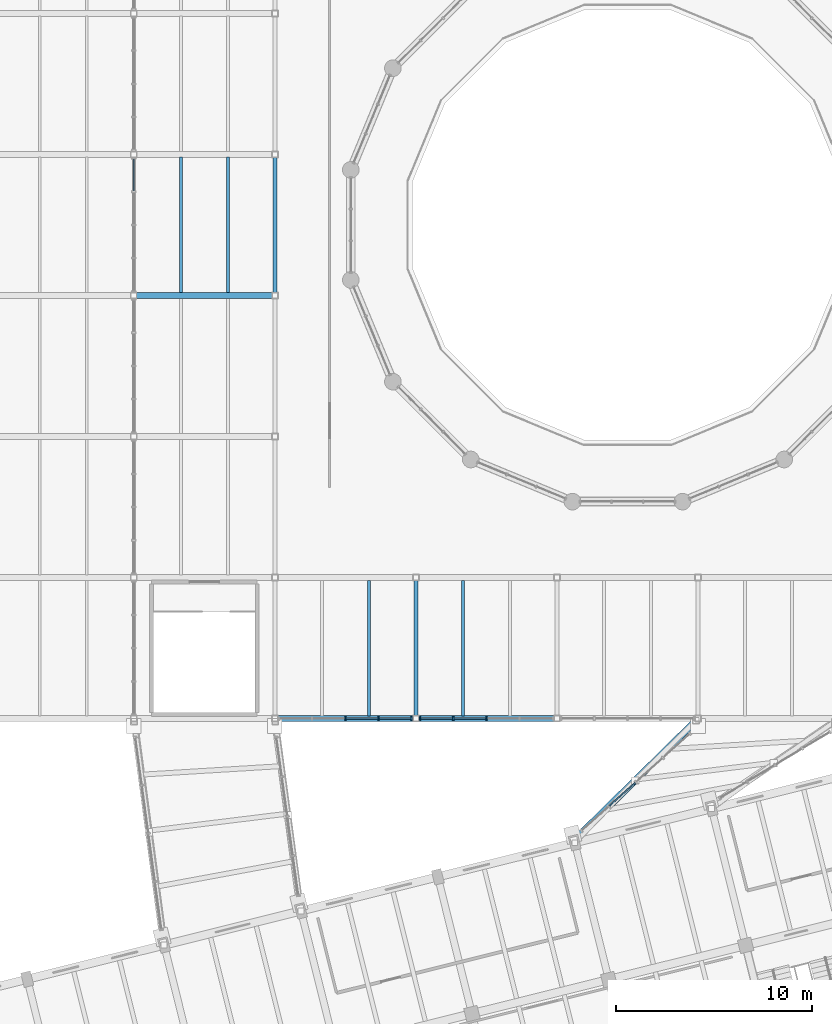
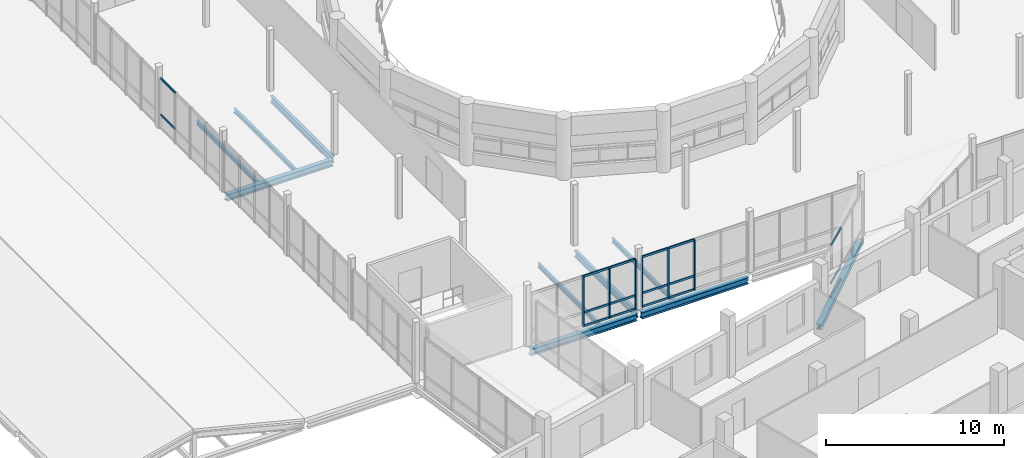
# One storey, part 18 of 63: 23 members, 10 beams, 4 elements without a shape of their own.
"""IFC4 building model written with IfcOpenShell, lengths in metres."""

from ifc_helpers import new_model, si_unit, direction, frame, origin, origin_2d, place, context, subcontext, project, spatial, rectangle, i_section, extrude, material, material_profile, profile_set, type_object, element, aggregate, save


model = new_model("IFC4")

# Units and contexts
model_context = context("Model", 3, precision=1e-05, world=origin(), true_north=direction((0.0, 1.0)))
body_context = subcontext(model_context, "Body", "Model", "MODEL_VIEW")
ifc_project = project(units=[si_unit("LENGTHUNIT", "METRE"), si_unit("AREAUNIT", "SQUARE_METRE"), si_unit("VOLUMEUNIT", "CUBIC_METRE"), si_unit("PLANEANGLEUNIT", "RADIAN"), si_unit("MASSUNIT", "GRAM", prefix="KILO")], contexts=[model_context])

# Site, building, storey
site_placement = place(None, origin())
site = spatial("IfcSite", under=ifc_project, at=site_placement, CompositionType="ELEMENT")
building_placement = place(site_placement, origin())
building = spatial("IfcBuilding", under=site, at=building_placement, Name="Qiaolan Assembly House", CompositionType="ELEMENT")
storey_placement = place(building_placement, frame((0.0, 0.0, 14.39990234375)))
storey = spatial("IfcBuildingStorey", under=building, at=storey_placement, Name="L03", CompositionType="ELEMENT", Elevation=14.39990234375)

# Beams
ifc_material_1 = material(Name="Steel Q355B", Category="steel")
ifc_material_profile_1 = material_profile(ifc_material_1, i_section(OverallWidth=0.35009765625, OverallDepth=0.35009765625, WebThickness=0.011962890625, FlangeThickness=0.01904296875, FilletRadius=0.02001953125, at=origin_2d()), Name="HW 350x350x12x19-BR")
ifc_profile_set_1 = profile_set([ifc_material_profile_1], Name="Steel Q355B")
beam_type_1 = type_object("IfcBeamType", Name="BM-BRIDGE-CHORD-HW350", PredefinedType="BEAM", material=ifc_profile_set_1)
beam_1_placement = place(storey_placement, frame((65.676025390625, 29.783935546875, -0.364990234375), z_axis=(0.713164913251, 0.700996295645, 0.0), x_axis=(-0.700996295645, 0.713164913251, 0.0)))
element("IfcBeam", 1, at=beam_1_placement, inside=storey, type_object=beam_type_1, Name="BGB-01 skybridge main girder EB L03", PredefinedType="BEAM", context=body_context, shape_type="SweptSolid", body=[
    extrude(i_section(OverallWidth=0.35009765625, OverallDepth=0.35009765625, WebThickness=0.011962890625, FlangeThickness=0.01904296875, FilletRadius=0.02001953125, at=origin_2d()), origin(), (0.0, 0.0, 1.0), 8.7275390625),
])
ifc_material_profile_2 = material_profile(ifc_material_1, i_section(OverallWidth=0.300048828125, OverallDepth=0.43994140625, WebThickness=0.010986328125, FlangeThickness=0.01806640625, FilletRadius=0.02001953125, at=origin_2d()), Name="HM 440x300x11x18")
ifc_profile_set_2 = profile_set([ifc_material_profile_2], Name="Steel Q355B")
beam_type_2 = type_object("IfcBeamType", Name="BM-STL-HM440", PredefinedType="BEAM", material=ifc_profile_set_2)
beam_2_placement = place(storey_placement, frame((50.544921875, 36.0, -0.52001953125), z_axis=(1.0, 0.0, 0.0), x_axis=(0.0, 1.0, 0.0)))
element("IfcBeam", 2, at=beam_2_placement, inside=storey, type_object=beam_type_2, Name="SB-06 beam BMX-HLC-L03-01-00", PredefinedType="BEAM", context=body_context, shape_type="SweptSolid", body=[
    extrude(i_section(OverallWidth=0.300048828125, OverallDepth=0.43994140625, WebThickness=0.010986328125, FlangeThickness=0.01806640625, FilletRadius=0.02001953125, at=origin_2d()), origin(), (0.0, 0.0, 1.0), 6.91015625),
])
beam_3_placement = place(storey_placement, frame((57.7451171875, 36.0, -0.52001953125), z_axis=(1.0, 0.0, 0.0), x_axis=(0.0, 1.0, 0.0)))
element("IfcBeam", 3, at=beam_3_placement, inside=storey, type_object=beam_type_2, Name="SB-06 beam BMX-HLC-L03-02-00", PredefinedType="BEAM", context=body_context, shape_type="SweptSolid", body=[
    extrude(i_section(OverallWidth=0.300048828125, OverallDepth=0.43994140625, WebThickness=0.010986328125, FlangeThickness=0.01806640625, FilletRadius=0.02001953125, at=origin_2d()), origin(), (0.0, 0.0, 1.0), 6.909912109375),
])
beam_4_placement = place(storey_placement, frame((43.340087890625, 57.60009765625, -0.52001953125), z_axis=(1.0, 0.0, 0.0), x_axis=(0.0, 1.0, 0.0)))
element("IfcBeam", 4, at=beam_4_placement, inside=storey, type_object=beam_type_2, Name="SB-06 beam BMX-HLC-L03-00-03", PredefinedType="BEAM", context=body_context, shape_type="SweptSolid", body=[
    extrude(i_section(OverallWidth=0.300048828125, OverallDepth=0.43994140625, WebThickness=0.010986328125, FlangeThickness=0.01806640625, FilletRadius=0.02001953125, at=origin_2d()), origin(), (0.0, 0.0, 1.0), 6.919921875),
])
ifc_material_profile_3 = material_profile(ifc_material_1, i_section(OverallWidth=0.199951171875, OverallDepth=0.449951171875, WebThickness=0.009033203125, FlangeThickness=0.013916015625, FilletRadius=0.01611328125, at=origin_2d()), Name="HN 450x200x9x14")
ifc_profile_set_3 = profile_set([ifc_material_profile_3], Name="Steel Q355B")
beam_type_3 = type_object("IfcBeamType", Name="BM-STL-HN450", PredefinedType="BEAM", material=ifc_profile_set_3)
beam_5_placement = place(storey_placement, frame((50.39990234375, 57.739990234375, -0.52490234375), z_axis=(0.0, 1.0, 0.0), x_axis=(-1.0, 0.0, 0.0)))
element("IfcBeam", 5, at=beam_5_placement, inside=storey, type_object=beam_type_3, Name="SB-07 beam BMY-HLC-L03-01-03", PredefinedType="BEAM", context=body_context, shape_type="SweptSolid", body=[
    extrude(i_section(OverallWidth=0.199951171875, OverallDepth=0.449951171875, WebThickness=0.009033203125, FlangeThickness=0.013916015625, FilletRadius=0.01611328125, at=origin_2d()), origin(), (0.0, 0.0, 1.0), 6.919921875),
])
beam_6_placement = place(storey_placement, frame((57.60009765625, 36.14501953125, -0.52490234375), z_axis=(0.0, 1.0, 0.0), x_axis=(-1.0, 0.0, 0.0)))
element("IfcBeam", 6, at=beam_6_placement, inside=storey, type_object=beam_type_3, Name="SB-07 beam BMY-HLC-L03-02-00", PredefinedType="BEAM", context=body_context, shape_type="SweptSolid", body=[
    extrude(i_section(OverallWidth=0.199951171875, OverallDepth=0.449951171875, WebThickness=0.009033203125, FlangeThickness=0.013916015625, FilletRadius=0.01611328125, at=origin_2d()), origin(), (0.0, 0.0, 1.0), 6.9150390625),
])

# Curtain wall, members
ifc_material_2 = material(Name="Anodised bronze aluminium", Category="aluminium")
curtain_wall_type_1 = type_object("IfcCurtainWallType", Name="CW-BRIDGE-420", PredefinedType="NOTDEFINED", material=ifc_material_2)
curtain_wall_1_placement = place(storey_placement, origin())
curtain_wall_1 = element("IfcCurtainWall", 7, at=curtain_wall_1_placement, inside=storey, type_object=curtain_wall_type_1, Name="CW-03 Glazed Skybridge Curtain Wall EB L03 W", PredefinedType="NOTDEFINED")
ifc_material_profile_4 = material_profile(ifc_material_2, rectangle(XDim=0.068115234375, YDim=0.139892578125, at=origin_2d()), Name="TRN 68x140")
ifc_profile_set_4 = profile_set([ifc_material_profile_4], Name="Anodised bronze aluminium")
member_type_1 = type_object("IfcMemberType", Name="CW-BRIDGE-420-TRN", PredefinedType="USERDEFINED", material=ifc_profile_set_4)
member_1_placement = place(storey_placement, frame((67.467529296875, 31.5419921875, 0.030029296875), z_axis=(0.744997258292, 0.66706752667, 0.0), x_axis=(-0.66706752667, 0.744997258292, 0.0)))
member_1 = element("IfcMember", 8, at=member_1_placement, type_object=member_type_1, Name="TR-04 transom CW-BRIDGE-EB-L03-W-2-1", ObjectType="TRANSOM", PredefinedType="USERDEFINED", context=body_context, shape_type="SweptSolid", body=[
    extrude(rectangle(XDim=0.068115234375, YDim=0.139892578125, at=origin_2d()), origin(), (0.0, 0.0, 1.0), 1.779541015625),
])
member_2_placement = place(storey_placement, frame((67.467529296875, 31.5419921875, 0.9501953125), z_axis=(0.744997258292, 0.66706752667, 0.0), x_axis=(-0.66706752667, 0.744997258292, 0.0)))
member_2 = element("IfcMember", 9, at=member_2_placement, type_object=member_type_1, Name="TR-04 transom CW-BRIDGE-EB-L03-W-2-2", ObjectType="TRANSOM", PredefinedType="USERDEFINED", context=body_context, shape_type="SweptSolid", body=[
    extrude(rectangle(XDim=0.068115234375, YDim=0.139892578125, at=origin_2d()), origin(), (0.0, 0.0, 1.0), 1.779541015625),
])
member_3_placement = place(storey_placement, frame((67.467529296875, 31.5419921875, 3.52001953125), z_axis=(0.744997258292, 0.66706752667, 0.0), x_axis=(-0.66706752667, 0.744997258292, 0.0)))
member_3 = element("IfcMember", 10, at=member_3_placement, type_object=member_type_1, Name="TR-04 transom CW-BRIDGE-EB-L03-W-2-3", ObjectType="TRANSOM", PredefinedType="USERDEFINED", context=body_context, shape_type="SweptSolid", body=[
    extrude(rectangle(XDim=0.068115234375, YDim=0.139892578125, at=origin_2d()), origin(), (0.0, 0.0, 1.0), 1.779541015625),
])
aggregate(curtain_wall_1, [member_1, member_2, member_3])

curtain_wall_type_2 = type_object("IfcCurtainWallType", Name="CW-HALL-CONC-420", PredefinedType="NOTDEFINED", material=ifc_material_2)
curtain_wall_2_placement = place(storey_placement, origin())
curtain_wall_2 = element("IfcCurtainWall", 11, at=curtain_wall_2_placement, inside=storey, type_object=curtain_wall_type_2, Name="CW-07 L03 Concourse South CW 2", PredefinedType="NOTDEFINED")
ifc_material_profile_5 = material_profile(ifc_material_2, rectangle(XDim=0.08203125, YDim=0.18994140625, at=origin_2d()), Name="MUL 82x190")
ifc_profile_set_5 = profile_set([ifc_material_profile_5], Name="Anodised bronze aluminium")
member_type_2 = type_object("IfcMemberType", Name="CW-HALL-CONC-420-MUL", PredefinedType="MULLION", material=ifc_profile_set_5)
member_4_placement = place(storey_placement, frame((54.0, 36.0, 0.0), z_axis=(0.0, 0.0, 1.0), x_axis=(1.0, 0.0, 0.0)))
member_4 = element("IfcMember", 12, at=member_4_placement, type_object=member_type_2, Name="ML-03 mullion CW-HLC-S-01-3", PredefinedType="MULLION", context=body_context, shape_type="SweptSolid", body=[
    extrude(rectangle(XDim=0.08203125, YDim=0.18994140625, at=origin_2d()), origin(), (0.0, 0.0, 1.0), 3.4501953125),
])
member_5_placement = place(storey_placement, frame((55.695068359375, 36.0, 0.0), z_axis=(0.0, 0.0, 1.0), x_axis=(1.0, 0.0, 0.0)))
member_5 = element("IfcMember", 13, at=member_5_placement, type_object=member_type_2, Name="ML-03 mullion CW-HLC-S-01-4", PredefinedType="MULLION", context=body_context, shape_type="SweptSolid", body=[
    extrude(rectangle(XDim=0.08203125, YDim=0.18994140625, at=origin_2d()), origin(), (0.0, 0.0, 1.0), 3.4501953125),
])
member_6_placement = place(storey_placement, frame((57.389892578125, 36.0, 0.0), z_axis=(0.0, 0.0, 1.0), x_axis=(1.0, 0.0, 0.0)))
member_6 = element("IfcMember", 14, at=member_6_placement, type_object=member_type_2, Name="ML-03 mullion CW-HLC-S-01-5", PredefinedType="MULLION", context=body_context, shape_type="SweptSolid", body=[
    extrude(rectangle(XDim=0.08203125, YDim=0.18994140625, at=origin_2d()), origin(), (0.0, 0.0, 1.0), 3.4501953125),
])

curtain_wall_3_placement = place(storey_placement, origin())
curtain_wall_3 = element("IfcCurtainWall", 15, at=curtain_wall_3_placement, inside=storey, type_object=curtain_wall_type_2, Name="CW-07 L03 Concourse South CW 3", PredefinedType="NOTDEFINED")
member_7_placement = place(storey_placement, frame((57.81005859375, 36.0, 0.0), z_axis=(0.0, 0.0, 1.0), x_axis=(1.0, 0.0, 0.0)))
member_7 = element("IfcMember", 16, at=member_7_placement, type_object=member_type_2, Name="ML-03 mullion CW-HLC-S-02-1", PredefinedType="MULLION", context=body_context, shape_type="SweptSolid", body=[
    extrude(rectangle(XDim=0.08203125, YDim=0.18994140625, at=origin_2d()), origin(), (0.0, 0.0, 1.0), 3.4501953125),
])
member_8_placement = place(storey_placement, frame((59.5048828125, 36.0, 0.0), z_axis=(0.0, 0.0, 1.0), x_axis=(1.0, 0.0, 0.0)))
member_8 = element("IfcMember", 17, at=member_8_placement, type_object=member_type_2, Name="ML-03 mullion CW-HLC-S-02-2", PredefinedType="MULLION", context=body_context, shape_type="SweptSolid", body=[
    extrude(rectangle(XDim=0.08203125, YDim=0.18994140625, at=origin_2d()), origin(), (0.0, 0.0, 1.0), 3.4501953125),
])
member_9_placement = place(storey_placement, frame((61.199951171875, 36.0, 0.0), z_axis=(0.0, 0.0, 1.0), x_axis=(1.0, 0.0, 0.0)))
member_9 = element("IfcMember", 18, at=member_9_placement, type_object=member_type_2, Name="ML-03 mullion CW-HLC-S-02-3", PredefinedType="MULLION", context=body_context, shape_type="SweptSolid", body=[
    extrude(rectangle(XDim=0.08203125, YDim=0.18994140625, at=origin_2d()), origin(), (0.0, 0.0, 1.0), 3.4501953125),
])

# Member
ifc_material_profile_6 = material_profile(ifc_material_2, rectangle(XDim=0.072021484375, YDim=0.14501953125, at=origin_2d()), Name="TRN 72x145")
ifc_profile_set_6 = profile_set([ifc_material_profile_6], Name="Anodised bronze aluminium")
member_type_3 = type_object("IfcMemberType", Name="CW-HALL-CONC-420-TRN", PredefinedType="USERDEFINED", material=ifc_profile_set_6)
member_10_placement = place(storey_placement, frame((54.041015625, 36.0, 0.030029296875), z_axis=(1.0, 0.0, 0.0), x_axis=(0.0, 1.0, 0.0)))
member_10 = element("IfcMember", 19, at=member_10_placement, type_object=member_type_3, Name="TR-03 transom CW-HLC-S-01-3-1", ObjectType="TRANSOM", PredefinedType="USERDEFINED", context=body_context, shape_type="SweptSolid", body=[
    extrude(rectangle(XDim=0.072021484375, YDim=0.14501953125, at=origin_2d()), origin(), (0.0, 0.0, 1.0), 1.613037109375),
])

member_11_placement = place(storey_placement, frame((54.041015625, 36.0, 0.9501953125), z_axis=(1.0, 0.0, 0.0), x_axis=(0.0, 1.0, 0.0)))
member_11 = element("IfcMember", 20, at=member_11_placement, type_object=member_type_3, Name="TR-03 transom CW-HLC-S-01-3-2", ObjectType="TRANSOM", PredefinedType="USERDEFINED", context=body_context, shape_type="SweptSolid", body=[
    extrude(rectangle(XDim=0.072021484375, YDim=0.14501953125, at=origin_2d()), origin(), (0.0, 0.0, 1.0), 1.613037109375),
])

member_12_placement = place(storey_placement, frame((54.041015625, 36.0, 3.420166015625), z_axis=(1.0, 0.0, 0.0), x_axis=(0.0, 1.0, 0.0)))
member_12 = element("IfcMember", 21, at=member_12_placement, type_object=member_type_3, Name="TR-03 transom CW-HLC-S-01-3-3", ObjectType="TRANSOM", PredefinedType="USERDEFINED", context=body_context, shape_type="SweptSolid", body=[
    extrude(rectangle(XDim=0.072021484375, YDim=0.14501953125, at=origin_2d()), origin(), (0.0, 0.0, 1.0), 1.613037109375),
])

member_13_placement = place(storey_placement, frame((55.736083984375, 36.0, 0.030029296875), z_axis=(1.0, 0.0, 0.0), x_axis=(0.0, 1.0, 0.0)))
member_13 = element("IfcMember", 22, at=member_13_placement, type_object=member_type_3, Name="TR-03 transom CW-HLC-S-01-4-1", ObjectType="TRANSOM", PredefinedType="USERDEFINED", context=body_context, shape_type="SweptSolid", body=[
    extrude(rectangle(XDim=0.072021484375, YDim=0.14501953125, at=origin_2d()), origin(), (0.0, 0.0, 1.0), 1.613037109375),
])

member_14_placement = place(storey_placement, frame((55.736083984375, 36.0, 0.9501953125), z_axis=(1.0, 0.0, 0.0), x_axis=(0.0, 1.0, 0.0)))
member_14 = element("IfcMember", 23, at=member_14_placement, type_object=member_type_3, Name="TR-03 transom CW-HLC-S-01-4-2", ObjectType="TRANSOM", PredefinedType="USERDEFINED", context=body_context, shape_type="SweptSolid", body=[
    extrude(rectangle(XDim=0.072021484375, YDim=0.14501953125, at=origin_2d()), origin(), (0.0, 0.0, 1.0), 1.613037109375),
])

member_15_placement = place(storey_placement, frame((55.736083984375, 36.0, 3.420166015625), z_axis=(1.0, 0.0, 0.0), x_axis=(0.0, 1.0, 0.0)))
member_15 = element("IfcMember", 24, at=member_15_placement, type_object=member_type_3, Name="TR-03 transom CW-HLC-S-01-4-3", ObjectType="TRANSOM", PredefinedType="USERDEFINED", context=body_context, shape_type="SweptSolid", body=[
    extrude(rectangle(XDim=0.072021484375, YDim=0.14501953125, at=origin_2d()), origin(), (0.0, 0.0, 1.0), 1.613037109375),
])

aggregate(curtain_wall_2, [member_4, member_5, member_6, member_10, member_11, member_12, member_13, member_14, member_15])

member_16_placement = place(storey_placement, frame((57.85107421875, 36.0, 0.030029296875), z_axis=(1.0, 0.0, 0.0), x_axis=(0.0, 1.0, 0.0)))
member_16 = element("IfcMember", 25, at=member_16_placement, type_object=member_type_3, Name="TR-03 transom CW-HLC-S-02-1-1", ObjectType="TRANSOM", PredefinedType="USERDEFINED", context=body_context, shape_type="SweptSolid", body=[
    extrude(rectangle(XDim=0.072021484375, YDim=0.14501953125, at=origin_2d()), origin(), (0.0, 0.0, 1.0), 1.613037109375),
])

member_17_placement = place(storey_placement, frame((57.85107421875, 36.0, 0.9501953125), z_axis=(1.0, 0.0, 0.0), x_axis=(0.0, 1.0, 0.0)))
member_17 = element("IfcMember", 26, at=member_17_placement, type_object=member_type_3, Name="TR-03 transom CW-HLC-S-02-1-2", ObjectType="TRANSOM", PredefinedType="USERDEFINED", context=body_context, shape_type="SweptSolid", body=[
    extrude(rectangle(XDim=0.072021484375, YDim=0.14501953125, at=origin_2d()), origin(), (0.0, 0.0, 1.0), 1.613037109375),
])

member_18_placement = place(storey_placement, frame((57.85107421875, 36.0, 3.420166015625), z_axis=(1.0, 0.0, 0.0), x_axis=(0.0, 1.0, 0.0)))
member_18 = element("IfcMember", 27, at=member_18_placement, type_object=member_type_3, Name="TR-03 transom CW-HLC-S-02-1-3", ObjectType="TRANSOM", PredefinedType="USERDEFINED", context=body_context, shape_type="SweptSolid", body=[
    extrude(rectangle(XDim=0.072021484375, YDim=0.14501953125, at=origin_2d()), origin(), (0.0, 0.0, 1.0), 1.613037109375),
])

member_19_placement = place(storey_placement, frame((59.5458984375, 36.0, 0.030029296875), z_axis=(1.0, 0.0, 0.0), x_axis=(0.0, 1.0, 0.0)))
member_19 = element("IfcMember", 28, at=member_19_placement, type_object=member_type_3, Name="TR-03 transom CW-HLC-S-02-2-1", ObjectType="TRANSOM", PredefinedType="USERDEFINED", context=body_context, shape_type="SweptSolid", body=[
    extrude(rectangle(XDim=0.072021484375, YDim=0.14501953125, at=origin_2d()), origin(), (0.0, 0.0, 1.0), 1.613037109375),
])

member_20_placement = place(storey_placement, frame((59.5458984375, 36.0, 0.9501953125), z_axis=(1.0, 0.0, 0.0), x_axis=(0.0, 1.0, 0.0)))
member_20 = element("IfcMember", 29, at=member_20_placement, type_object=member_type_3, Name="TR-03 transom CW-HLC-S-02-2-2", ObjectType="TRANSOM", PredefinedType="USERDEFINED", context=body_context, shape_type="SweptSolid", body=[
    extrude(rectangle(XDim=0.072021484375, YDim=0.14501953125, at=origin_2d()), origin(), (0.0, 0.0, 1.0), 1.613037109375),
])

member_21_placement = place(storey_placement, frame((59.5458984375, 36.0, 3.420166015625), z_axis=(1.0, 0.0, 0.0), x_axis=(0.0, 1.0, 0.0)))
member_21 = element("IfcMember", 30, at=member_21_placement, type_object=member_type_3, Name="TR-03 transom CW-HLC-S-02-2-3", ObjectType="TRANSOM", PredefinedType="USERDEFINED", context=body_context, shape_type="SweptSolid", body=[
    extrude(rectangle(XDim=0.072021484375, YDim=0.14501953125, at=origin_2d()), origin(), (0.0, 0.0, 1.0), 1.613037109375),
])

aggregate(curtain_wall_3, [member_7, member_8, member_9, member_16, member_17, member_18, member_19, member_20, member_21])

# Curtain wall, members
curtain_wall_4_placement = place(storey_placement, origin())
curtain_wall_4 = element("IfcCurtainWall", 31, at=curtain_wall_4_placement, inside=storey, type_object=curtain_wall_type_2, Name="CW-07 L03 Concourse West CW 4", PredefinedType="NOTDEFINED")
member_22_placement = place(storey_placement, frame((43.199951171875, 62.93603515625, 0.9501953125), z_axis=(0.0, 1.0, 0.0), x_axis=(-1.0, 0.0, 0.0)))
member_22 = element("IfcMember", 32, at=member_22_placement, type_object=member_type_3, Name="TR-03 transom CW-HLC-W-03-4-2", ObjectType="TRANSOM", PredefinedType="USERDEFINED", context=body_context, shape_type="SweptSolid", body=[
    extrude(rectangle(XDim=0.072021484375, YDim=0.14501953125, at=origin_2d()), origin(), (0.0, 0.0, 1.0), 1.613037109375),
])
member_23_placement = place(storey_placement, frame((43.199951171875, 62.93603515625, 3.420166015625), z_axis=(0.0, 1.0, 0.0), x_axis=(-1.0, 0.0, 0.0)))
member_23 = element("IfcMember", 33, at=member_23_placement, type_object=member_type_3, Name="TR-03 transom CW-HLC-W-03-4-3", ObjectType="TRANSOM", PredefinedType="USERDEFINED", context=body_context, shape_type="SweptSolid", body=[
    extrude(rectangle(XDim=0.072021484375, YDim=0.14501953125, at=origin_2d()), origin(), (0.0, 0.0, 1.0), 1.613037109375),
])
aggregate(curtain_wall_4, [member_22, member_23])

# Beams
ifc_material_profile_7 = material_profile(ifc_material_1, i_section(OverallWidth=0.14990234375, OverallDepth=0.300048828125, WebThickness=0.006591796875, FlangeThickness=0.009033203125, FilletRadius=0.012939453125, at=origin_2d()), Name="HN 300x150x6.5x9")
ifc_profile_set_7 = profile_set([ifc_material_profile_7], Name="Steel Q355B")
beam_type_4 = type_object("IfcBeamType", Name="JST-STL-HN300", PredefinedType="JOIST", material=ifc_profile_set_7)
for number, where, z_axis, x_axis, name in (
    (34, (45.60009765625, 57.743896484375, -0.449951171875), (0.0, 1.0, 0.0), (-1.0, 0.0, 0.0), "SJ-02 beam JST-HLC-L03-00-03-1"),
    (35, (48.0, 57.743896484375, -0.449951171875), (0.0, 1.0, 0.0), (-1.0, 0.0, 0.0), "SJ-02 beam JST-HLC-L03-00-03-2"),
):
    element("IfcBeam", number, at=place(storey_placement, frame(where, z_axis=z_axis, x_axis=x_axis)), inside=storey, type_object=beam_type_4, Name=name, PredefinedType="JOIST", context=body_context, shape_type="SweptSolid", body=[
        extrude(i_section(OverallWidth=0.14990234375, OverallDepth=0.300048828125, WebThickness=0.006591796875, FlangeThickness=0.009033203125, FilletRadius=0.012939453125, at=origin_2d()), origin(), (0.0, 0.0, 1.0), 6.912109375),
    ])
for number, where, z_axis, x_axis, name in (
    (36, (55.199951171875, 36.14404296875, -0.449951171875), (0.0, 1.0, 0.0), (-1.0, 0.0, 0.0), "SJ-02 beam JST-HLC-L03-01-00-2"),
    (37, (60.0, 36.14404296875, -0.449951171875), (0.0, 1.0, 0.0), (-1.0, 0.0, 0.0), "SJ-02 beam JST-HLC-L03-02-00-1"),
):
    element("IfcBeam", number, at=place(storey_placement, frame(where, z_axis=z_axis, x_axis=x_axis)), inside=storey, type_object=beam_type_4, Name=name, PredefinedType="JOIST", context=body_context, shape_type="SweptSolid", body=[
        extrude(i_section(OverallWidth=0.14990234375, OverallDepth=0.300048828125, WebThickness=0.006591796875, FlangeThickness=0.009033203125, FilletRadius=0.012939453125, at=origin_2d()), origin(), (0.0, 0.0, 1.0), 6.911865234375),
    ])

save(model, "model.ifc")
